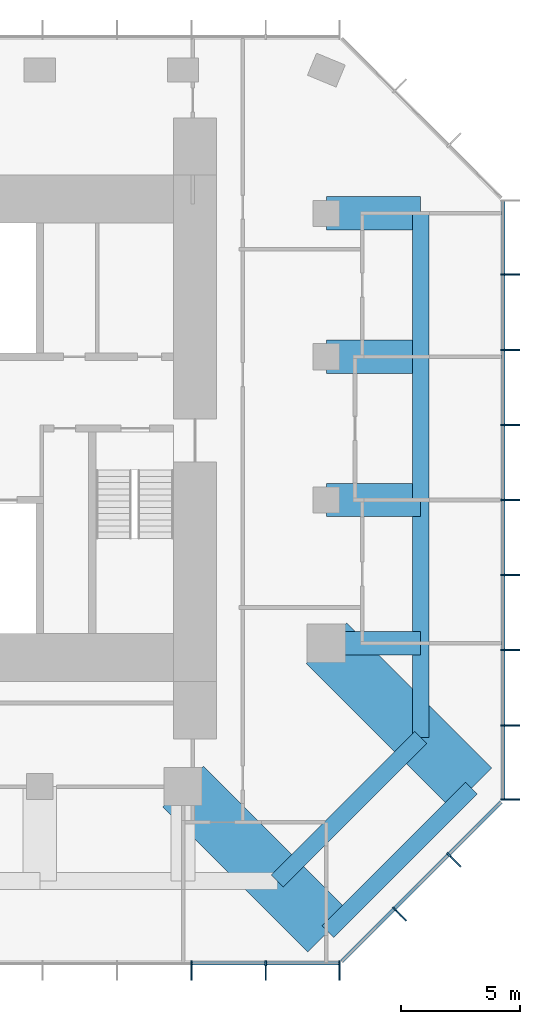
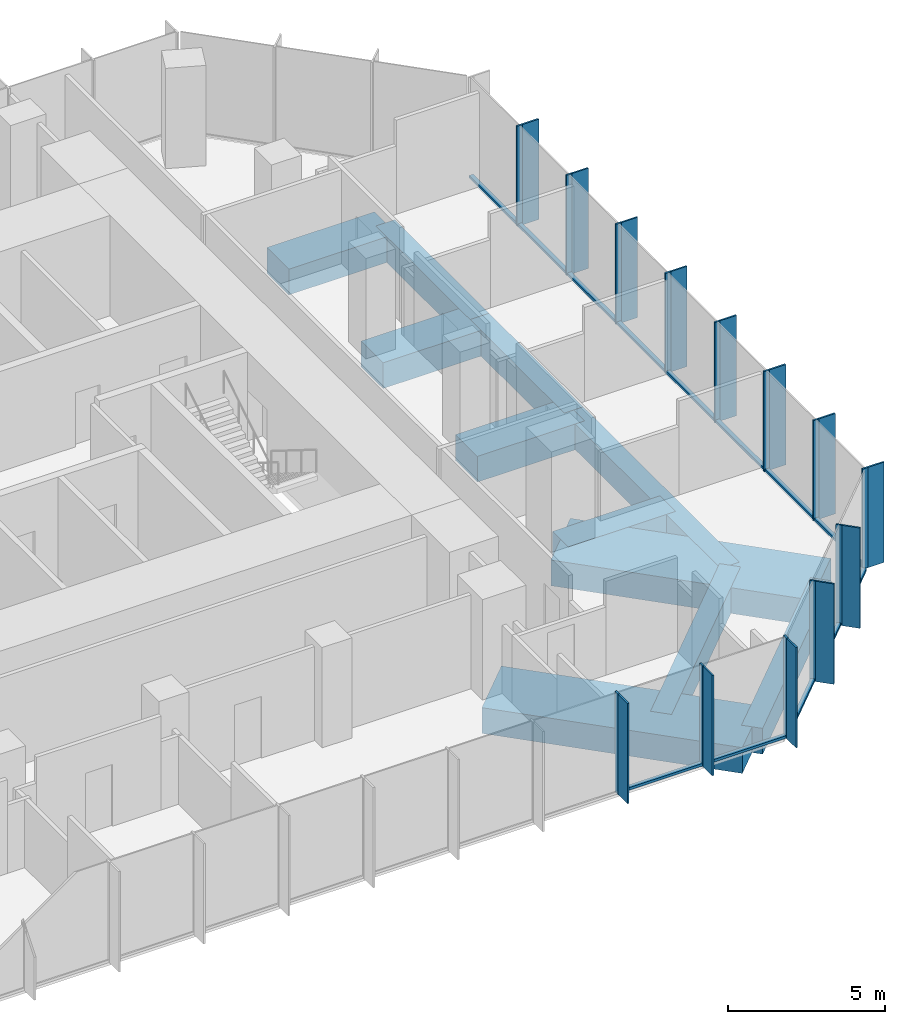
# One storey, part 4 of 11: 39 members, 11 beams, 3 elements without a shape of their own.
"""IFC4 building model written with IfcOpenShell, lengths in metres."""

from ifc_helpers import new_model, si_unit, direction, frame, origin, origin_2d, place, context, subcontext, project, spatial, rectangle, extrude, material, layer, layer_set, material_profile, profile_set, type_object, element, aggregate, save


model = new_model("IFC4")

# Units and contexts
model_context = context("Model", 3, precision=1e-05, world=origin(), true_north=direction((0.0, 1.0)))
body_context = subcontext(model_context, "Body", "Model", "MODEL_VIEW")
ifc_project = project(units=[si_unit("LENGTHUNIT", "METRE"), si_unit("AREAUNIT", "SQUARE_METRE"), si_unit("VOLUMEUNIT", "CUBIC_METRE"), si_unit("PLANEANGLEUNIT", "RADIAN"), si_unit("MASSUNIT", "GRAM", prefix="KILO")], contexts=[model_context])

# Site, building, storey
site_placement = place(None, origin())
site = spatial("IfcSite", under=ifc_project, at=site_placement, CompositionType="ELEMENT")
building_placement = place(site_placement, origin())
building = spatial("IfcBuilding", under=site, at=building_placement, Name="Highveld Stack Headquarters", CompositionType="ELEMENT")
storey_placement = place(building_placement, frame((0.0, 0.0, 280.10009765625)))
storey = spatial("IfcBuildingStorey", under=building, at=storey_placement, Name="L69", CompositionType="ELEMENT", Elevation=280.10009765625)

# Beams
ifc_material_1 = material(Name="Concrete C60/75", Category="concrete")
ifc_material_profile_1 = material_profile(ifc_material_1, rectangle(XDim=1.0, YDim=1.0, at=origin_2d()), Name="RC 1000x1000")
ifc_profile_set_1 = profile_set([ifc_material_profile_1], Name="Concrete C60/75")
beam_type_1 = type_object("IfcBeamType", Name="CANTILEVER RIB RC 1000x1000", PredefinedType="USERDEFINED", material=ifc_profile_set_1)
beam_1_placement = place(storey_placement, frame((24.0, -6.0, -0.75), z_axis=(1.0, 0.0, 0.0), x_axis=(0.0, 1.0, 0.0)))
element("IfcBeam", 1, at=beam_1_placement, inside=storey, type_object=beam_type_1, Name="Cantilever rib 10/D L69", ObjectType="CANTILEVER RIB", PredefinedType="USERDEFINED", context=body_context, shape_type="SweptSolid", body=[
    extrude(rectangle(XDim=1.0, YDim=1.0, at=origin_2d()), origin(), (0.0, 0.0, 1.0), 3.949951171875),
])
ifc_material_2 = material(Name="Concrete C60/75", Category="concrete")
ifc_material_profile_2 = material_profile(ifc_material_2, rectangle(XDim=1.39990234375, YDim=1.0, at=origin_2d()), Name="RC 1400x1000")
ifc_profile_set_2 = profile_set([ifc_material_profile_2], Name="Concrete C60/75")
beam_type_2 = type_object("IfcBeamType", Name="CANTILEVER RIB RC 1400x1000", PredefinedType="USERDEFINED", material=ifc_profile_set_2)
for number, where, z_axis, x_axis, name in (
    (2, (24.0, 0.0, -0.75), (1.0, 0.0, 0.0), (0.0, 1.0, 0.0), "Cantilever rib 10/E L69"),
    (3, (24.0, 6.0, -0.75), (1.0, 0.0, 0.0), (0.0, 1.0, 0.0), "Cantilever rib 10/F L69"),
    (4, (24.0, 12.0, -0.75), (1.0, 0.0, 0.0), (0.0, 1.0, 0.0), "Cantilever rib 10/G L69"),
):
    element("IfcBeam", number, at=place(storey_placement, frame(where, z_axis=z_axis, x_axis=x_axis)), inside=storey, type_object=beam_type_2, Name=name, ObjectType="CANTILEVER RIB", PredefinedType="USERDEFINED", context=body_context, shape_type="SweptSolid", body=[
        extrude(rectangle(XDim=1.39990234375, YDim=1.0, at=origin_2d()), origin(), (0.0, 0.0, 1.0), 3.949951171875),
    ])
ifc_material_3 = material(Name="Concrete C60/75", Category="concrete")
ifc_material_profile_3 = material_profile(ifc_material_3, rectangle(XDim=2.39990234375, YDim=1.0, at=origin_2d()), Name="RC 2400x1000")
ifc_profile_set_3 = profile_set([ifc_material_profile_3], Name="Concrete C60/75")
beam_type_3 = type_object("IfcBeamType", Name="CANTILEVER RIB RC 2400x1000", PredefinedType="USERDEFINED", material=ifc_profile_set_3)
for number, where, z_axis, x_axis, name in (
    (5, (18.0, -12.0, -0.75), (0.707106781187, -0.707106781187, 0.0), (0.707106781187, 0.707106781187, 0.0), "Cantilever rib 9/C L69"),
    (6, (24.0, -6.0, -0.75), (0.707106781187, -0.707106781187, 0.0), (0.707106781187, 0.707106781187, 0.0), "Cantilever rib 10/D L69"),
):
    element("IfcBeam", number, at=place(storey_placement, frame(where, z_axis=z_axis, x_axis=x_axis)), inside=storey, type_object=beam_type_3, Name=name, ObjectType="CANTILEVER RIB", PredefinedType="USERDEFINED", context=body_context, shape_type="SweptSolid", body=[
        extrude(rectangle(XDim=2.39990234375, YDim=1.0, at=origin_2d()), origin(), (0.0, 0.0, 1.0), 8.585693359375),
    ])

# Curtain wall, members
ifc_material_4 = material(Name="Aluminium bronze anodised", Category="aluminium")
ifc_layer = layer(ifc_material_4, 0.199951171875)
ifc_layer_set = layer_set([ifc_layer], Name="Aluminium bronze anodised")
curtain_wall_type = type_object("IfcCurtainWallType", Name="CW5 EXECUTIVE UNITISED CURTAIN WALL", PredefinedType="NOTDEFINED", material=ifc_layer_set)
curtain_wall_1_placement = place(storey_placement, origin())
curtain_wall_1 = element("IfcCurtainWall", 7, at=curtain_wall_1_placement, inside=storey, type_object=curtain_wall_type, Name="Curtain wall CW5 L69 S", PredefinedType="NOTDEFINED")
ifc_material_5 = material(Name="Aluminium bronze anodised", Category="aluminium")
ifc_material_profile_4 = material_profile(ifc_material_5, rectangle(XDim=0.60009765625, YDim=0.06005859375, at=origin_2d()), Name="FIN 600x60")
ifc_profile_set_4 = profile_set([ifc_material_profile_4], Name="Aluminium bronze anodised")
member_type_1 = type_object("IfcMemberType", Name="CW5 BRONZE FIN 600x60", PredefinedType="USERDEFINED", material=ifc_profile_set_4)
member_1_placement = place(storey_placement, frame((18.347900390625, -19.800048828125, 0.0), z_axis=(0.0, 0.0, 1.0), x_axis=(0.0, 1.0, 0.0)))
member_1 = element("IfcMember", 8, at=member_1_placement, type_object=member_type_1, Name="CW5 fin L69 9", ObjectType="FIN", PredefinedType="USERDEFINED", context=body_context, shape_type="SweptSolid", body=[
    extrude(rectangle(XDim=0.60009765625, YDim=0.06005859375, at=origin_2d()), origin(), (0.0, 0.0, 1.0), 3.89990234375),
])
member_2_placement = place(storey_placement, frame((21.4638671875, -19.800048828125, 0.0), z_axis=(0.0, 0.0, 1.0), x_axis=(0.0, 1.0, 0.0)))
member_2 = element("IfcMember", 9, at=member_2_placement, type_object=member_type_1, Name="CW5 fin L69 10", ObjectType="FIN", PredefinedType="USERDEFINED", context=body_context, shape_type="SweptSolid", body=[
    extrude(rectangle(XDim=0.60009765625, YDim=0.06005859375, at=origin_2d()), origin(), (0.0, 0.0, 1.0), 3.89990234375),
])
member_3_placement = place(storey_placement, frame((24.54736328125, -19.800048828125, 0.0), z_axis=(0.0, 0.0, 1.0), x_axis=(0.0, 1.0, 0.0)))
member_3 = element("IfcMember", 10, at=member_3_placement, type_object=member_type_1, Name="CW5 fin L69 11", ObjectType="FIN", PredefinedType="USERDEFINED", context=body_context, shape_type="SweptSolid", body=[
    extrude(rectangle(XDim=0.60009765625, YDim=0.06005859375, at=origin_2d()), origin(), (0.0, 0.0, 1.0), 3.89990234375),
])

curtain_wall_2_placement = place(storey_placement, origin())
curtain_wall_2 = element("IfcCurtainWall", 11, at=curtain_wall_2_placement, inside=storey, type_object=curtain_wall_type, Name="Curtain wall CW5 L69 SE", PredefinedType="NOTDEFINED")
member_4_placement = place(storey_placement, frame((27.135986328125, -17.409423828125, 0.0), z_axis=(0.0, 0.0, 1.0), x_axis=(-0.707106781187, 0.707106781187, 0.0)))
member_4 = element("IfcMember", 12, at=member_4_placement, type_object=member_type_1, Name="CW5 fin L69 1", ObjectType="FIN", PredefinedType="USERDEFINED", context=body_context, shape_type="SweptSolid", body=[
    extrude(rectangle(XDim=0.60009765625, YDim=0.06005859375, at=origin_2d()), origin(), (0.0, 0.0, 1.0), 3.89990234375),
])
member_5_placement = place(storey_placement, frame((29.409423828125, -15.135986328125, 0.0), z_axis=(0.0, 0.0, 1.0), x_axis=(-0.707106781187, 0.707106781187, 0.0)))
member_5 = element("IfcMember", 13, at=member_5_placement, type_object=member_type_1, Name="CW5 fin L69 2", ObjectType="FIN", PredefinedType="USERDEFINED", context=body_context, shape_type="SweptSolid", body=[
    extrude(rectangle(XDim=0.60009765625, YDim=0.06005859375, at=origin_2d()), origin(), (0.0, 0.0, 1.0), 3.89990234375),
])

curtain_wall_3_placement = place(storey_placement, origin())
curtain_wall_3 = element("IfcCurtainWall", 14, at=curtain_wall_3_placement, inside=storey, type_object=curtain_wall_type, Name="Curtain wall CW5 L69 E", PredefinedType="NOTDEFINED")
member_6_placement = place(storey_placement, frame((31.800048828125, -12.54736328125, 0.0), z_axis=(0.0, 0.0, 1.0), x_axis=(-1.0, 0.0, 0.0)))
member_6 = element("IfcMember", 15, at=member_6_placement, type_object=member_type_1, Name="CW5 fin L69 1", ObjectType="FIN", PredefinedType="USERDEFINED", context=body_context, shape_type="SweptSolid", body=[
    extrude(rectangle(XDim=0.60009765625, YDim=0.06005859375, at=origin_2d()), origin(), (0.0, 0.0, 1.0), 3.89990234375),
])
member_7_placement = place(storey_placement, frame((31.800048828125, -9.434814453125, 0.0), z_axis=(0.0, 0.0, 1.0), x_axis=(-1.0, 0.0, 0.0)))
member_7 = element("IfcMember", 16, at=member_7_placement, type_object=member_type_1, Name="CW5 fin L69 2", ObjectType="FIN", PredefinedType="USERDEFINED", context=body_context, shape_type="SweptSolid", body=[
    extrude(rectangle(XDim=0.60009765625, YDim=0.06005859375, at=origin_2d()), origin(), (0.0, 0.0, 1.0), 3.89990234375),
])
member_8_placement = place(storey_placement, frame((31.800048828125, -6.2900390625, 0.0), z_axis=(0.0, 0.0, 1.0), x_axis=(-1.0, 0.0, 0.0)))
member_8 = element("IfcMember", 17, at=member_8_placement, type_object=member_type_1, Name="CW5 fin L69 3", ObjectType="FIN", PredefinedType="USERDEFINED", context=body_context, shape_type="SweptSolid", body=[
    extrude(rectangle(XDim=0.60009765625, YDim=0.06005859375, at=origin_2d()), origin(), (0.0, 0.0, 1.0), 3.89990234375),
])
member_9_placement = place(storey_placement, frame((31.800048828125, -3.14501953125, 0.0), z_axis=(0.0, 0.0, 1.0), x_axis=(-1.0, 0.0, 0.0)))
member_9 = element("IfcMember", 18, at=member_9_placement, type_object=member_type_1, Name="CW5 fin L69 4", ObjectType="FIN", PredefinedType="USERDEFINED", context=body_context, shape_type="SweptSolid", body=[
    extrude(rectangle(XDim=0.60009765625, YDim=0.06005859375, at=origin_2d()), origin(), (0.0, 0.0, 1.0), 3.89990234375),
])
member_10_placement = place(storey_placement, frame((31.800048828125, 0.0, 0.0), z_axis=(0.0, 0.0, 1.0), x_axis=(-1.0, 0.0, 0.0)))
member_10 = element("IfcMember", 19, at=member_10_placement, type_object=member_type_1, Name="CW5 fin L69 5", ObjectType="FIN", PredefinedType="USERDEFINED", context=body_context, shape_type="SweptSolid", body=[
    extrude(rectangle(XDim=0.60009765625, YDim=0.06005859375, at=origin_2d()), origin(), (0.0, 0.0, 1.0), 3.89990234375),
])
member_11_placement = place(storey_placement, frame((31.800048828125, 3.14501953125, 0.0), z_axis=(0.0, 0.0, 1.0), x_axis=(-1.0, 0.0, 0.0)))
member_11 = element("IfcMember", 20, at=member_11_placement, type_object=member_type_1, Name="CW5 fin L69 6", ObjectType="FIN", PredefinedType="USERDEFINED", context=body_context, shape_type="SweptSolid", body=[
    extrude(rectangle(XDim=0.60009765625, YDim=0.06005859375, at=origin_2d()), origin(), (0.0, 0.0, 1.0), 3.89990234375),
])
member_12_placement = place(storey_placement, frame((31.800048828125, 6.289794921875, 0.0), z_axis=(0.0, 0.0, 1.0), x_axis=(-1.0, 0.0, 0.0)))
member_12 = element("IfcMember", 21, at=member_12_placement, type_object=member_type_1, Name="CW5 fin L69 7", ObjectType="FIN", PredefinedType="USERDEFINED", context=body_context, shape_type="SweptSolid", body=[
    extrude(rectangle(XDim=0.60009765625, YDim=0.06005859375, at=origin_2d()), origin(), (0.0, 0.0, 1.0), 3.89990234375),
])
member_13_placement = place(storey_placement, frame((31.800048828125, 9.434814453125, 0.0), z_axis=(0.0, 0.0, 1.0), x_axis=(-1.0, 0.0, 0.0)))
member_13 = element("IfcMember", 22, at=member_13_placement, type_object=member_type_1, Name="CW5 fin L69 8", ObjectType="FIN", PredefinedType="USERDEFINED", context=body_context, shape_type="SweptSolid", body=[
    extrude(rectangle(XDim=0.60009765625, YDim=0.06005859375, at=origin_2d()), origin(), (0.0, 0.0, 1.0), 3.89990234375),
])

# Member
ifc_material_6 = material(Name="Aluminium bronze anodised", Category="aluminium")
ifc_material_profile_5 = material_profile(ifc_material_6, rectangle(XDim=0.199951171875, YDim=0.06494140625, at=origin_2d()), Name="CW5 MULLION 65x200")
ifc_profile_set_5 = profile_set([ifc_material_profile_5], Name="Aluminium bronze anodised")
member_type_2 = type_object("IfcMemberType", Name="CW5 MULLION 65x200", PredefinedType="MULLION", material=ifc_profile_set_5)
member_14_placement = place(storey_placement, frame((18.347900390625, -19.39990234375, 0.0), z_axis=(0.0, 0.0, 1.0), x_axis=(0.0, 1.0, 0.0)))
member_14 = element("IfcMember", 23, at=member_14_placement, type_object=member_type_2, Name="CW5 mullion L69 9", PredefinedType="MULLION", context=body_context, shape_type="SweptSolid", body=[
    extrude(rectangle(XDim=0.199951171875, YDim=0.06494140625, at=origin_2d()), origin(), (0.0, 0.0, 1.0), 3.89990234375),
])

member_15_placement = place(storey_placement, frame((21.4638671875, -19.39990234375, 0.0), z_axis=(0.0, 0.0, 1.0), x_axis=(0.0, 1.0, 0.0)))
member_15 = element("IfcMember", 24, at=member_15_placement, type_object=member_type_2, Name="CW5 mullion L69 10", PredefinedType="MULLION", context=body_context, shape_type="SweptSolid", body=[
    extrude(rectangle(XDim=0.199951171875, YDim=0.06494140625, at=origin_2d()), origin(), (0.0, 0.0, 1.0), 3.89990234375),
])

member_16_placement = place(storey_placement, frame((24.54736328125, -19.39990234375, 0.0), z_axis=(0.0, 0.0, 1.0), x_axis=(0.0, 1.0, 0.0)))
member_16 = element("IfcMember", 25, at=member_16_placement, type_object=member_type_2, Name="CW5 mullion L69 11", PredefinedType="MULLION", context=body_context, shape_type="SweptSolid", body=[
    extrude(rectangle(XDim=0.199951171875, YDim=0.06494140625, at=origin_2d()), origin(), (0.0, 0.0, 1.0), 3.89990234375),
])

member_17_placement = place(storey_placement, frame((26.853271484375, -17.126708984375, 0.0), z_axis=(0.0, 0.0, 1.0), x_axis=(-0.707106781187, 0.707106781187, 0.0)))
member_17 = element("IfcMember", 26, at=member_17_placement, type_object=member_type_2, Name="CW5 mullion L69 1", PredefinedType="MULLION", context=body_context, shape_type="SweptSolid", body=[
    extrude(rectangle(XDim=0.199951171875, YDim=0.06494140625, at=origin_2d()), origin(), (0.0, 0.0, 1.0), 3.89990234375),
])

member_18_placement = place(storey_placement, frame((29.126708984375, -14.853271484375, 0.0), z_axis=(0.0, 0.0, 1.0), x_axis=(-0.707106781187, 0.707106781187, 0.0)))
member_18 = element("IfcMember", 27, at=member_18_placement, type_object=member_type_2, Name="CW5 mullion L69 2", PredefinedType="MULLION", context=body_context, shape_type="SweptSolid", body=[
    extrude(rectangle(XDim=0.199951171875, YDim=0.06494140625, at=origin_2d()), origin(), (0.0, 0.0, 1.0), 3.89990234375),
])

member_19_placement = place(storey_placement, frame((31.39990234375, -12.54736328125, 0.0), z_axis=(0.0, 0.0, 1.0), x_axis=(-1.0, 0.0, 0.0)))
member_19 = element("IfcMember", 28, at=member_19_placement, type_object=member_type_2, Name="CW5 mullion L69 1", PredefinedType="MULLION", context=body_context, shape_type="SweptSolid", body=[
    extrude(rectangle(XDim=0.199951171875, YDim=0.06494140625, at=origin_2d()), origin(), (0.0, 0.0, 1.0), 3.89990234375),
])

member_20_placement = place(storey_placement, frame((31.39990234375, -9.434814453125, 0.0), z_axis=(0.0, 0.0, 1.0), x_axis=(-1.0, 0.0, 0.0)))
member_20 = element("IfcMember", 29, at=member_20_placement, type_object=member_type_2, Name="CW5 mullion L69 2", PredefinedType="MULLION", context=body_context, shape_type="SweptSolid", body=[
    extrude(rectangle(XDim=0.199951171875, YDim=0.06494140625, at=origin_2d()), origin(), (0.0, 0.0, 1.0), 3.89990234375),
])

member_21_placement = place(storey_placement, frame((31.39990234375, -6.2900390625, 0.0), z_axis=(0.0, 0.0, 1.0), x_axis=(-1.0, 0.0, 0.0)))
member_21 = element("IfcMember", 30, at=member_21_placement, type_object=member_type_2, Name="CW5 mullion L69 3", PredefinedType="MULLION", context=body_context, shape_type="SweptSolid", body=[
    extrude(rectangle(XDim=0.199951171875, YDim=0.06494140625, at=origin_2d()), origin(), (0.0, 0.0, 1.0), 3.89990234375),
])

member_22_placement = place(storey_placement, frame((31.39990234375, -3.14501953125, 0.0), z_axis=(0.0, 0.0, 1.0), x_axis=(-1.0, 0.0, 0.0)))
member_22 = element("IfcMember", 31, at=member_22_placement, type_object=member_type_2, Name="CW5 mullion L69 4", PredefinedType="MULLION", context=body_context, shape_type="SweptSolid", body=[
    extrude(rectangle(XDim=0.199951171875, YDim=0.06494140625, at=origin_2d()), origin(), (0.0, 0.0, 1.0), 3.89990234375),
])

member_23_placement = place(storey_placement, frame((31.39990234375, 0.0, 0.0), z_axis=(0.0, 0.0, 1.0), x_axis=(-1.0, 0.0, 0.0)))
member_23 = element("IfcMember", 32, at=member_23_placement, type_object=member_type_2, Name="CW5 mullion L69 5", PredefinedType="MULLION", context=body_context, shape_type="SweptSolid", body=[
    extrude(rectangle(XDim=0.199951171875, YDim=0.06494140625, at=origin_2d()), origin(), (0.0, 0.0, 1.0), 3.89990234375),
])

member_24_placement = place(storey_placement, frame((31.39990234375, 3.14501953125, 0.0), z_axis=(0.0, 0.0, 1.0), x_axis=(-1.0, 0.0, 0.0)))
member_24 = element("IfcMember", 33, at=member_24_placement, type_object=member_type_2, Name="CW5 mullion L69 6", PredefinedType="MULLION", context=body_context, shape_type="SweptSolid", body=[
    extrude(rectangle(XDim=0.199951171875, YDim=0.06494140625, at=origin_2d()), origin(), (0.0, 0.0, 1.0), 3.89990234375),
])

member_25_placement = place(storey_placement, frame((31.39990234375, 6.289794921875, 0.0), z_axis=(0.0, 0.0, 1.0), x_axis=(-1.0, 0.0, 0.0)))
member_25 = element("IfcMember", 34, at=member_25_placement, type_object=member_type_2, Name="CW5 mullion L69 7", PredefinedType="MULLION", context=body_context, shape_type="SweptSolid", body=[
    extrude(rectangle(XDim=0.199951171875, YDim=0.06494140625, at=origin_2d()), origin(), (0.0, 0.0, 1.0), 3.89990234375),
])

member_26_placement = place(storey_placement, frame((31.39990234375, 9.434814453125, 0.0), z_axis=(0.0, 0.0, 1.0), x_axis=(-1.0, 0.0, 0.0)))
member_26 = element("IfcMember", 35, at=member_26_placement, type_object=member_type_2, Name="CW5 mullion L69 8", PredefinedType="MULLION", context=body_context, shape_type="SweptSolid", body=[
    extrude(rectangle(XDim=0.199951171875, YDim=0.06494140625, at=origin_2d()), origin(), (0.0, 0.0, 1.0), 3.89990234375),
])

ifc_material_7 = material(Name="Aluminium bronze anodised", Category="aluminium")
ifc_material_profile_6 = material_profile(ifc_material_7, rectangle(XDim=0.14990234375, YDim=0.10009765625, at=origin_2d()), Name="CW5 TRANSOM 150x100")
ifc_profile_set_6 = profile_set([ifc_material_profile_6], Name="Aluminium bronze anodised")
member_type_3 = type_object("IfcMemberType", Name="CW5 STACK TRANSOM 150x100", PredefinedType="USERDEFINED", material=ifc_profile_set_6)
member_27_placement = place(storey_placement, frame((18.38037109375, -19.39990234375, 0.0498046875), z_axis=(1.0, 0.0, 0.0), x_axis=(0.0, 1.0, 0.0)))
member_27 = element("IfcMember", 36, at=member_27_placement, type_object=member_type_3, Name="CW5 transom L69 9.1", ObjectType="TRANSOM", PredefinedType="USERDEFINED", context=body_context, shape_type="SweptSolid", body=[
    extrude(rectangle(XDim=0.14990234375, YDim=0.10009765625, at=origin_2d()), origin(), (0.0, 0.0, 1.0), 3.051025390625),
])

member_28_placement = place(storey_placement, frame((21.496337890625, -19.39990234375, 0.0498046875), z_axis=(1.0, 0.0, 0.0), x_axis=(0.0, 1.0, 0.0)))
member_28 = element("IfcMember", 37, at=member_28_placement, type_object=member_type_3, Name="CW5 transom L69 10.1", ObjectType="TRANSOM", PredefinedType="USERDEFINED", context=body_context, shape_type="SweptSolid", body=[
    extrude(rectangle(XDim=0.14990234375, YDim=0.10009765625, at=origin_2d()), origin(), (0.0, 0.0, 1.0), 3.0185546875),
])

aggregate(curtain_wall_1, [member_14, member_1, member_15, member_2, member_16, member_3, member_27, member_28])

member_29_placement = place(storey_placement, frame((24.650634765625, -19.329345703125, 0.0498046875), z_axis=(0.707106781187, 0.707106781187, 0.0), x_axis=(-0.707106781187, 0.707106781187, 0.0)))
member_29 = element("IfcMember", 38, at=member_29_placement, type_object=member_type_3, Name="CW5 transom L69 1.1", ObjectType="TRANSOM", PredefinedType="USERDEFINED", context=body_context, shape_type="SweptSolid", body=[
    extrude(rectangle(XDim=0.14990234375, YDim=0.10009765625, at=origin_2d()), origin(), (0.0, 0.0, 1.0), 3.08251953125),
])

member_30_placement = place(storey_placement, frame((26.876220703125, -17.103759765625, 0.0498046875), z_axis=(0.707106781187, 0.707106781187, 0.0), x_axis=(-0.707106781187, 0.707106781187, 0.0)))
member_30 = element("IfcMember", 39, at=member_30_placement, type_object=member_type_3, Name="CW5 transom L69 2.1", ObjectType="TRANSOM", PredefinedType="USERDEFINED", context=body_context, shape_type="SweptSolid", body=[
    extrude(rectangle(XDim=0.14990234375, YDim=0.10009765625, at=origin_2d()), origin(), (0.0, 0.0, 1.0), 3.150146484375),
])

member_31_placement = place(storey_placement, frame((29.149658203125, -14.830322265625, 0.0498046875), z_axis=(0.707106781187, 0.707106781187, 0.0), x_axis=(-0.707106781187, 0.707106781187, 0.0)))
member_31 = element("IfcMember", 40, at=member_31_placement, type_object=member_type_3, Name="CW5 transom L69 3.1", ObjectType="TRANSOM", PredefinedType="USERDEFINED", context=body_context, shape_type="SweptSolid", body=[
    extrude(rectangle(XDim=0.14990234375, YDim=0.10009765625, at=origin_2d()), origin(), (0.0, 0.0, 1.0), 3.08251953125),
])

aggregate(curtain_wall_2, [member_17, member_4, member_18, member_5, member_29, member_30, member_31])

member_32_placement = place(storey_placement, frame((31.39990234375, -12.514892578125, 0.0498046875), z_axis=(0.0, 1.0, 0.0), x_axis=(-1.0, 0.0, 0.0)))
member_32 = element("IfcMember", 41, at=member_32_placement, type_object=member_type_3, Name="CW5 transom L69 1.1", ObjectType="TRANSOM", PredefinedType="USERDEFINED", context=body_context, shape_type="SweptSolid", body=[
    extrude(rectangle(XDim=0.14990234375, YDim=0.10009765625, at=origin_2d()), origin(), (0.0, 0.0, 1.0), 3.047607421875),
])

member_33_placement = place(storey_placement, frame((31.39990234375, -9.40234375, 0.0498046875), z_axis=(0.0, 1.0, 0.0), x_axis=(-1.0, 0.0, 0.0)))
member_33 = element("IfcMember", 42, at=member_33_placement, type_object=member_type_3, Name="CW5 transom L69 2.1", ObjectType="TRANSOM", PredefinedType="USERDEFINED", context=body_context, shape_type="SweptSolid", body=[
    extrude(rectangle(XDim=0.14990234375, YDim=0.10009765625, at=origin_2d()), origin(), (0.0, 0.0, 1.0), 3.079833984375),
])

member_34_placement = place(storey_placement, frame((31.39990234375, -6.257568359375, 0.0498046875), z_axis=(0.0, 1.0, 0.0), x_axis=(-1.0, 0.0, 0.0)))
member_34 = element("IfcMember", 43, at=member_34_placement, type_object=member_type_3, Name="CW5 transom L69 3.1", ObjectType="TRANSOM", PredefinedType="USERDEFINED", context=body_context, shape_type="SweptSolid", body=[
    extrude(rectangle(XDim=0.14990234375, YDim=0.10009765625, at=origin_2d()), origin(), (0.0, 0.0, 1.0), 3.080078125),
])

member_35_placement = place(storey_placement, frame((31.39990234375, -3.112548828125, 0.0498046875), z_axis=(0.0, 1.0, 0.0), x_axis=(-1.0, 0.0, 0.0)))
member_35 = element("IfcMember", 44, at=member_35_placement, type_object=member_type_3, Name="CW5 transom L69 4.1", ObjectType="TRANSOM", PredefinedType="USERDEFINED", context=body_context, shape_type="SweptSolid", body=[
    extrude(rectangle(XDim=0.14990234375, YDim=0.10009765625, at=origin_2d()), origin(), (0.0, 0.0, 1.0), 3.080078125),
])

member_36_placement = place(storey_placement, frame((31.39990234375, 0.032470703125, 0.0498046875), z_axis=(0.0, 1.0, 0.0), x_axis=(-1.0, 0.0, 0.0)))
member_36 = element("IfcMember", 45, at=member_36_placement, type_object=member_type_3, Name="CW5 transom L69 5.1", ObjectType="TRANSOM", PredefinedType="USERDEFINED", context=body_context, shape_type="SweptSolid", body=[
    extrude(rectangle(XDim=0.14990234375, YDim=0.10009765625, at=origin_2d()), origin(), (0.0, 0.0, 1.0), 3.080078125),
])

member_37_placement = place(storey_placement, frame((31.39990234375, 3.177490234375, 0.0498046875), z_axis=(0.0, 1.0, 0.0), x_axis=(-1.0, 0.0, 0.0)))
member_37 = element("IfcMember", 46, at=member_37_placement, type_object=member_type_3, Name="CW5 transom L69 6.1", ObjectType="TRANSOM", PredefinedType="USERDEFINED", context=body_context, shape_type="SweptSolid", body=[
    extrude(rectangle(XDim=0.14990234375, YDim=0.10009765625, at=origin_2d()), origin(), (0.0, 0.0, 1.0), 3.080078125),
])

member_38_placement = place(storey_placement, frame((31.39990234375, 6.322509765625, 0.0498046875), z_axis=(0.0, 1.0, 0.0), x_axis=(-1.0, 0.0, 0.0)))
member_38 = element("IfcMember", 47, at=member_38_placement, type_object=member_type_3, Name="CW5 transom L69 7.1", ObjectType="TRANSOM", PredefinedType="USERDEFINED", context=body_context, shape_type="SweptSolid", body=[
    extrude(rectangle(XDim=0.14990234375, YDim=0.10009765625, at=origin_2d()), origin(), (0.0, 0.0, 1.0), 3.079833984375),
])

member_39_placement = place(storey_placement, frame((31.39990234375, 9.46728515625, 0.0498046875), z_axis=(0.0, 1.0, 0.0), x_axis=(-1.0, 0.0, 0.0)))
member_39 = element("IfcMember", 48, at=member_39_placement, type_object=member_type_3, Name="CW5 transom L69 8.1", ObjectType="TRANSOM", PredefinedType="USERDEFINED", context=body_context, shape_type="SweptSolid", body=[
    extrude(rectangle(XDim=0.14990234375, YDim=0.10009765625, at=origin_2d()), origin(), (0.0, 0.0, 1.0), 3.047607421875),
])

aggregate(curtain_wall_3, [member_19, member_6, member_20, member_7, member_21, member_8, member_22, member_9, member_23, member_10, member_24, member_11, member_25, member_12, member_26, member_13, member_32, member_33, member_34, member_35, member_36, member_37, member_38, member_39])

# Beams
ifc_material_8 = material(Name="Concrete C60/75", Category="concrete")
ifc_material_profile_7 = material_profile(ifc_material_8, rectangle(XDim=0.699951171875, YDim=1.0, at=origin_2d()), Name="RC 700x1000")
ifc_profile_set_7 = profile_set([ifc_material_profile_7], Name="Concrete C60/75")
beam_type_4 = type_object("IfcBeamType", Name="RIB TIP BEAM RC 700x1000", PredefinedType="SPANDREL", material=ifc_profile_set_7)
beam_2_placement = place(storey_placement, frame((27.949951171875, -9.949951171875, -0.75), z_axis=(0.0, 1.0, 0.0), x_axis=(-1.0, 0.0, 0.0)))
element("IfcBeam", 49, at=beam_2_placement, inside=storey, type_object=beam_type_4, Name="Rib tip beam 10/D to 10/E L69", PredefinedType="SPANDREL", context=body_context, shape_type="SweptSolid", body=[
    extrude(rectangle(XDim=0.699951171875, YDim=1.0, at=origin_2d()), origin(), (0.0, 0.0, 1.0), 9.949951171875),
])
for number, where, z_axis, x_axis, name in (
    (50, (27.949951171875, 0.0, -0.75), (0.0, 1.0, 0.0), (-1.0, 0.0, 0.0), "Rib tip beam 10/E to 10/F L69"),
    (51, (27.949951171875, 6.0, -0.75), (0.0, 1.0, 0.0), (-1.0, 0.0, 0.0), "Rib tip beam 10/F to 10/G L69"),
):
    element("IfcBeam", number, at=place(storey_placement, frame(where, z_axis=z_axis, x_axis=x_axis)), inside=storey, type_object=beam_type_4, Name=name, PredefinedType="SPANDREL", context=body_context, shape_type="SweptSolid", body=[
        extrude(rectangle(XDim=0.699951171875, YDim=1.0, at=origin_2d()), origin(), (0.0, 0.0, 1.0), 6.0),
    ])
for number, where, z_axis, x_axis, name in (
    (52, (21.949951171875, -15.949951171875, -0.75), (0.707106781187, 0.707106781187, 0.0), (-0.707106781187, 0.707106781187, 0.0), "Rib tip beam 9/C to 10/D chamfer L69"),
    (53, (24.071044921875, -18.071044921875, -0.75), (0.707106781187, 0.707106781187, 0.0), (-0.707106781187, 0.707106781187, 0.0), "Rib tip beam 9/C to 10/D chamfer edge L69"),
):
    element("IfcBeam", number, at=place(storey_placement, frame(where, z_axis=z_axis, x_axis=x_axis)), inside=storey, type_object=beam_type_4, Name=name, PredefinedType="SPANDREL", context=body_context, shape_type="SweptSolid", body=[
        extrude(rectangle(XDim=0.699951171875, YDim=1.0, at=origin_2d()), origin(), (0.0, 0.0, 1.0), 8.4853515625),
    ])

save(model, "model.ifc")
